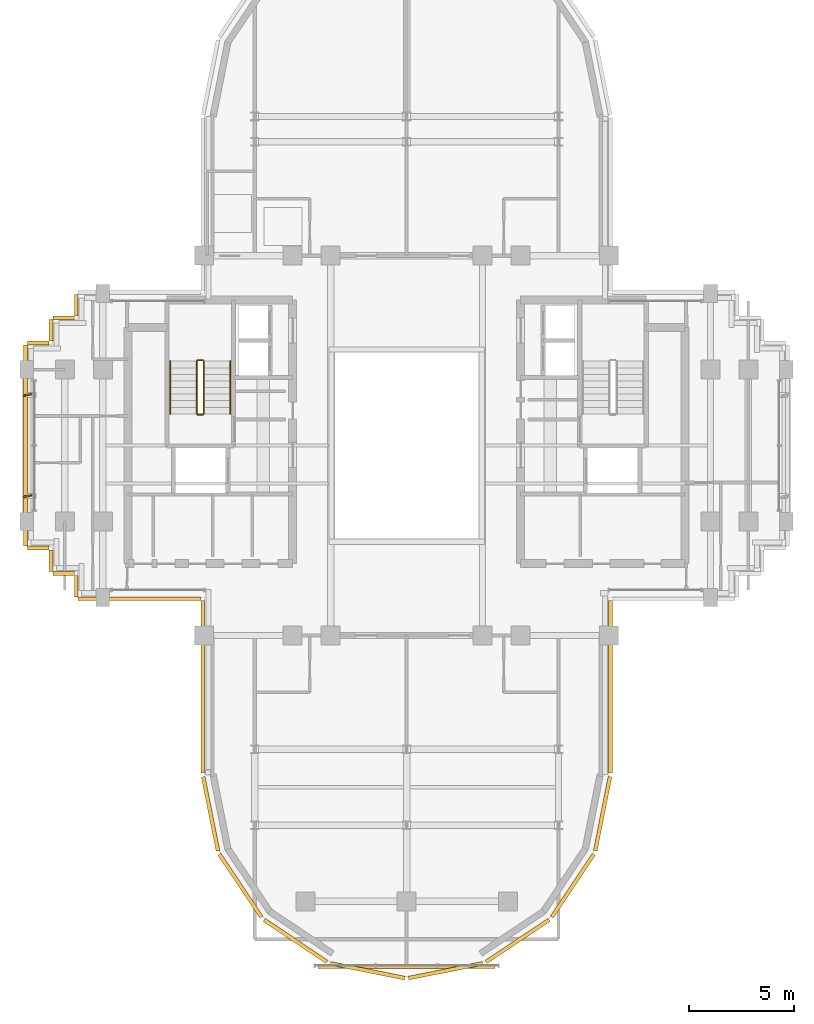
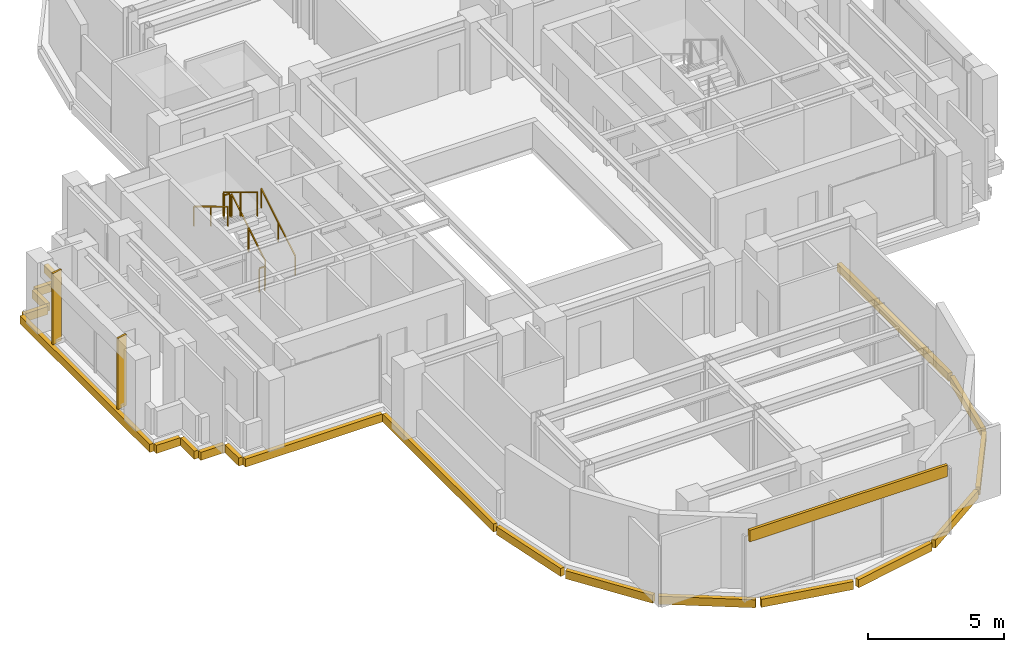
# One storey, part 10 of 12: 21 coverings, 6 railings, 2 shading devices.
"""IFC4 building model written with IfcOpenShell, lengths in metres."""

from ifc_helpers import new_model, si_unit, direction, frame, origin, origin_2d, place, context, subcontext, project, spatial, rectangle, extrude, source, transform, mapped, material, layer, layer_set, type_object, element, save


model = new_model("IFC4")

# Units and contexts
model_context = context("Model", 3, precision=1e-05, world=origin(), true_north=direction((0.0, 1.0)))
body_context = subcontext(model_context, "Body", "Model", "MODEL_VIEW")
ifc_project = project(units=[si_unit("LENGTHUNIT", "METRE"), si_unit("AREAUNIT", "SQUARE_METRE"), si_unit("VOLUMEUNIT", "CUBIC_METRE"), si_unit("PLANEANGLEUNIT", "RADIAN"), si_unit("MASSUNIT", "GRAM", prefix="KILO")], contexts=[model_context])

# Site, building, storey
site_placement = place(None, origin())
site = spatial("IfcSite", under=ifc_project, at=site_placement, CompositionType="ELEMENT")
building_placement = place(site_placement, origin())
building = spatial("IfcBuilding", under=site, at=building_placement, Name="Keilestroom Media Tower", CompositionType="ELEMENT")
storey_placement = place(building_placement, frame((0.0, 0.0, 184.199951171875)))
storey = spatial("IfcBuildingStorey", under=building, at=storey_placement, Name="L50", CompositionType="ELEMENT", Elevation=184.199951171875)

# Railings
ifc_material_1 = material(Name="Brushed Stainless Steel 1.4301", Category="steel")
railing_type_1 = type_object("IfcRailingType", Name="Stair-Pitch-Handrail-920", PredefinedType="HANDRAIL", material=ifc_material_1)
railing_1_placement = place(storey_placement, frame((-8.35009765625, 1.5, 0.18896484375)))
element("IfcRailing", 1, at=railing_1_placement, inside=storey, type_object=railing_type_1, Name="L50 ST-1 stair handrail 1", PredefinedType="HANDRAIL", context=body_context, shape_type="SweptSolid", body=[
    extrude(rectangle(XDim=0.048095703125, YDim=0.048095703125, at=origin_2d()), frame((0.0, 0.0, 0.8759765625), z_axis=(0.0, 0.855470815493, 0.517851024754), x_axis=(-1.0, 0.0, 0.0)), (0.0, 0.0, 1.0), 2.917724609375),
    extrude(rectangle(XDim=0.0419921875, YDim=0.0419921875, at=origin_2d()), origin(), (0.0, 0.0, 1.0), 0.84375),
    extrude(rectangle(XDim=0.0419921875, YDim=0.0419921875, at=origin_2d()), frame((0.0, 1.248046875, 0.75537109375)), (0.0, 0.0, 1.0), 0.84375),
    extrude(rectangle(XDim=0.0419921875, YDim=0.0419921875, at=origin_2d()), frame((0.0, 2.49609375, 1.510986328125)), (0.0, 0.0, 1.0), 0.84375),
])
railing_2_placement = place(storey_placement, frame((-11.2099609375, 3.99609375, 1.888916015625)))
element("IfcRailing", 2, at=railing_2_placement, inside=storey, type_object=railing_type_1, Name="L50 ST-1 stair handrail 2", PredefinedType="HANDRAIL", context=body_context, shape_type="SweptSolid", body=[
    extrude(rectangle(XDim=0.048095703125, YDim=0.048095703125, at=origin_2d()), frame((0.0, 0.0, 0.8759765625), z_axis=(0.0, -0.855433747314, 0.517912255074), x_axis=(1.0, 0.0, 0.0)), (0.0, 0.0, 1.0), 2.91796875),
    extrude(rectangle(XDim=0.0419921875, YDim=0.0419921875, at=origin_2d()), origin(), (0.0, 0.0, 1.0), 0.84375),
    extrude(rectangle(XDim=0.0419921875, YDim=0.0419921875, at=origin_2d()), frame((0.0, -1.248046875, 0.755615234375)), (0.0, 0.0, 1.0), 0.84375),
    extrude(rectangle(XDim=0.0419921875, YDim=0.0419921875, at=origin_2d()), frame((0.0, -2.49609375, 1.51123046875)), (0.0, 0.0, 1.0), 0.84375),
])
ifc_material_2 = material(Name="Painted Steel Balustrade", Category="steel")
railing_type_2 = type_object("IfcRailingType", Name="Stair-Well-And-Landing-Guard-1100", PredefinedType="GUARDRAIL", material=ifc_material_2)
railing_3_placement = place(storey_placement, frame((-9.610107421875, 1.5, 0.18896484375)))
element("IfcRailing", 3, at=railing_3_placement, inside=storey, type_object=railing_type_2, Name="L50 ST-1 stair guard 1", PredefinedType="GUARDRAIL", context=body_context, shape_type="SweptSolid", body=[
    extrude(rectangle(XDim=0.048095703125, YDim=0.048095703125, at=origin_2d()), frame((0.0, 0.0, 1.076171875), z_axis=(0.0, 0.855470815493, 0.517851024754), x_axis=(-1.0, 0.0, 0.0)), (0.0, 0.0, 1.0), 2.917724609375),
    extrude(rectangle(XDim=0.0419921875, YDim=0.0419921875, at=origin_2d()), origin(), (0.0, 0.0, 1.0), 1.0439453125),
    extrude(rectangle(XDim=0.0419921875, YDim=0.0419921875, at=origin_2d()), frame((0.0, 1.248046875, 0.75537109375)), (0.0, 0.0, 1.0), 1.0439453125),
    extrude(rectangle(XDim=0.0419921875, YDim=0.0419921875, at=origin_2d()), frame((0.0, 2.49609375, 1.510986328125)), (0.0, 0.0, 1.0), 1.0439453125),
])
railing_4_placement = place(storey_placement, frame((-9.659912109375, 4.0458984375, 1.699951171875)))
element("IfcRailing", 4, at=railing_4_placement, inside=storey, type_object=railing_type_2, Name="L50 ST-1 stair guard 2", PredefinedType="GUARDRAIL", context=body_context, shape_type="SweptSolid", body=[
    extrude(rectangle(XDim=0.048095703125, YDim=0.048095703125, at=origin_2d()), frame((0.0, 0.0, 1.076171875), z_axis=(-1.0, 0.0, 0.0), x_axis=(0.0, -1.0, 0.0)), (0.0, 0.0, 1.0), 0.239990234375),
    extrude(rectangle(XDim=0.0419921875, YDim=0.0419921875, at=origin_2d()), origin(), (0.0, 0.0, 1.0), 1.0439453125),
    extrude(rectangle(XDim=0.0419921875, YDim=0.0419921875, at=origin_2d()), frame((-0.239990234375, 0.0, 0.0)), (0.0, 0.0, 1.0), 1.0439453125),
])
railing_5_placement = place(storey_placement, frame((-9.949951171875, 3.99609375, 1.888916015625)))
element("IfcRailing", 5, at=railing_5_placement, inside=storey, type_object=railing_type_2, Name="L50 ST-1 stair guard 3", PredefinedType="GUARDRAIL", context=body_context, shape_type="SweptSolid", body=[
    extrude(rectangle(XDim=0.048095703125, YDim=0.048095703125, at=origin_2d()), frame((0.0, 0.0, 1.076171875), z_axis=(0.0, -0.855433747314, 0.517912255074), x_axis=(1.0, 0.0, 0.0)), (0.0, 0.0, 1.0), 2.91796875),
    extrude(rectangle(XDim=0.0419921875, YDim=0.0419921875, at=origin_2d()), origin(), (0.0, 0.0, 1.0), 1.0439453125),
    extrude(rectangle(XDim=0.0419921875, YDim=0.0419921875, at=origin_2d()), frame((0.0, -1.248046875, 0.755615234375)), (0.0, 0.0, 1.0), 1.0439453125),
    extrude(rectangle(XDim=0.0419921875, YDim=0.0419921875, at=origin_2d()), frame((0.0, -2.49609375, 1.51123046875)), (0.0, 0.0, 1.0), 1.0439453125),
])
railing_6_placement = place(storey_placement, frame((-9.659912109375, 1.449951171875, 0.0)))
element("IfcRailing", 6, at=railing_6_placement, inside=storey, type_object=railing_type_2, Name="L50 ST-1 stair guard 4", PredefinedType="GUARDRAIL", context=body_context, shape_type="SweptSolid", body=[
    extrude(rectangle(XDim=0.048095703125, YDim=0.048095703125, at=origin_2d()), frame((0.0, 0.0, 1.076171875), z_axis=(-1.0, 0.0, 0.0), x_axis=(0.0, -1.0, 0.0)), (0.0, 0.0, 1.0), 0.239990234375),
    extrude(rectangle(XDim=0.0419921875, YDim=0.0419921875, at=origin_2d()), origin(), (0.0, 0.0, 1.0), 1.0439453125),
    extrude(rectangle(XDim=0.0419921875, YDim=0.0419921875, at=origin_2d()), frame((-0.239990234375, 0.0, 0.0)), (0.0, 0.0, 1.0), 1.0439453125),
])

# Covering
ifc_material_3 = material(Name="Precast concrete C40/50", Category="concrete")
ifc_layer = layer(ifc_material_3, 0.1201171875)
ifc_layer_set = layer_set([ifc_layer], Name="Precast concrete C40/50")
covering_type = type_object("IfcCoveringType", Name="Exterior-Precast-Spandrel-Cladding-Panel-120", PredefinedType="CLADDING", material=ifc_layer_set)
shared_shape_1 = source(origin(), body_context, "Body", "SweptSolid", [
    extrude(rectangle(XDim=8.39990234375, YDim=0.1201171875, at=origin_2d()), origin(), (0.0, 0.0, 1.0), 0.52001953125),
])
covering_1_placement = place(storey_placement, frame((0.0, -24.719970703125, 2.68994140625), z_axis=(0.0, 0.0, 1.0), x_axis=(1.0, 0.0, 0.0)))
element("IfcCovering", 7, at=covering_1_placement, inside=storey, type_object=covering_type, Name="L50 Precast Spandrel Cladding S", PredefinedType="CLADDING", context=body_context, shape_type="MappedRepresentation", body=[
    mapped(shared_shape_1, transform((0.0, 0.0, 0.0), x_axis=(1.0, 0.0, 0.0), y_axis=(0.0, 1.0, 0.0), z_axis=(0.0, 0.0, 1.0), scale=1.0)),
])

# Shading devices
ifc_material_4 = material(Name="Bronze Anodised Aluminium", Category="aluminium")
shading_device_type = type_object("IfcShadingDeviceType", Name="Facade-Vertical-Sunshade-Fin-SHD-1", PredefinedType="USERDEFINED", material=ifc_material_4)
shared_shape_2 = source(origin(), body_context, "Body", "SweptSolid", [
    extrude(rectangle(XDim=0.419921875, YDim=0.080078125, at=origin_2d()), origin(), (0.0, 0.0, 1.0), 3.199951171875),
])
for number, where, z_axis, x_axis, name in (
    (8, (-17.969970703125, -2.39990234375, 0.0), (0.0, 0.0, 1.0), (0.976821953852, 0.214053429014, 0.0), "L50 Twisting Sunshade Fin SHD-1 069"),
    (9, (-17.969970703125, 2.39990234375, 0.0), (0.0, 0.0, 1.0), (0.976821953852, 0.214053429014, 0.0), "L50 Twisting Sunshade Fin SHD-1 070"),
):
    element("IfcShadingDevice", number, at=place(storey_placement, frame(where, z_axis=z_axis, x_axis=x_axis)), inside=storey, type_object=shading_device_type, Name=name, ObjectType="SUNSHADE", PredefinedType="USERDEFINED", context=body_context, shape_type="MappedRepresentation", body=[
        mapped(shared_shape_2, transform((0.0, 0.0, 0.0), x_axis=(1.0, 0.0, 0.0), y_axis=(0.0, 1.0, 0.0), z_axis=(0.0, 0.0, 1.0), scale=1.0)),
    ])

# Coverings
shared_shape_3 = source(origin(), body_context, "Body", "SweptSolid", [
    extrude(rectangle(XDim=1.02001953125, YDim=0.179931640625, at=origin_2d()), origin(), (0.0, 0.0, 1.0), 0.360107421875),
])
for number, where, z_axis, x_axis, name in (
    (10, (-15.659912109375, -6.659912109375, -0.5400390625), (0.0, 0.0, 1.0), (0.0, 1.0, 0.0), "L50 Precast Slab-Edge Fascia Cornice 17"),
    (11, (-16.260009765625, -6.06005859375, -0.5400390625), (0.0, 0.0, 1.0), (-1.0, 0.0, 0.0), "L50 Precast Slab-Edge Fascia Cornice 18"),
    (12, (-16.860107421875, -5.4599609375, -0.5400390625), (0.0, 0.0, 1.0), (0.0, 1.0, 0.0), "L50 Precast Slab-Edge Fascia Cornice 19"),
    (13, (-17.4599609375, -4.860107421875, -0.5400390625), (0.0, 0.0, 1.0), (-1.0, 0.0, 0.0), "L50 Precast Slab-Edge Fascia Cornice 20"),
    (14, (-17.4599609375, 4.860107421875, -0.5400390625), (0.0, 0.0, 1.0), (1.0, 0.0, 0.0), "L50 Precast Slab-Edge Fascia Cornice 22"),
    (15, (-16.860107421875, 5.4599609375, -0.5400390625), (0.0, 0.0, 1.0), (0.0, 1.0, 0.0), "L50 Precast Slab-Edge Fascia Cornice 23"),
    (16, (-16.260009765625, 6.06005859375, -0.5400390625), (0.0, 0.0, 1.0), (1.0, 0.0, 0.0), "L50 Precast Slab-Edge Fascia Cornice 24"),
    (17, (-15.659912109375, 6.659912109375, -0.5400390625), (0.0, 0.0, 1.0), (0.0, 1.0, 0.0), "L50 Precast Slab-Edge Fascia Cornice 25"),
):
    element("IfcCovering", number, at=place(storey_placement, frame(where, z_axis=z_axis, x_axis=x_axis)), inside=storey, type_object=covering_type, Name=name, PredefinedType="CLADDING", context=body_context, shape_type="MappedRepresentation", body=[
        mapped(shared_shape_3, transform((0.0, 0.0, 0.0), x_axis=(1.0, 0.0, 0.0), y_axis=(0.0, 1.0, 0.0), z_axis=(0.0, 0.0, 1.0), scale=1.0)),
    ])
shared_shape_4 = source(origin(), body_context, "Body", "SweptSolid", [
    extrude(rectangle(XDim=8.166015625, YDim=0.179931640625, at=origin_2d()), origin(), (0.0, 0.0, 1.0), 0.360107421875),
])
for number, where, z_axis, x_axis, name in (
    (18, (9.659912109375, -11.43310546875, -0.5400390625), (0.0, 0.0, 1.0), (0.0, -1.0, 0.0), "L50 Precast Slab-Edge Fascia Cornice 06"),
    (19, (-9.659912109375, -11.43310546875, -0.5400390625), (0.0, 0.0, 1.0), (0.0, 1.0, 0.0), "L50 Precast Slab-Edge Fascia Cornice 15"),
):
    element("IfcCovering", number, at=place(storey_placement, frame(where, z_axis=z_axis, x_axis=x_axis)), inside=storey, type_object=covering_type, Name=name, PredefinedType="CLADDING", context=body_context, shape_type="MappedRepresentation", body=[
        mapped(shared_shape_4, transform((0.0, 0.0, 0.0), x_axis=(1.0, 0.0, 0.0), y_axis=(0.0, 1.0, 0.0), z_axis=(0.0, 0.0, 1.0), scale=1.0)),
    ])
shared_shape_5 = source(origin(), body_context, "Body", "SweptSolid", [
    extrude(rectangle(XDim=3.58349609375, YDim=0.179931640625, at=origin_2d()), origin(), (0.0, 0.0, 1.0), 0.360107421875),
])
for number, where, z_axis, x_axis, name in (
    (20, (9.29296875, -17.45166015625, -0.5400390625), (0.0, 0.0, 1.0), (-0.195098880975, -0.980783577882, 0.0), "L50 Precast Slab-Edge Fascia Cornice 07"),
    (21, (-9.29296875, -17.45166015625, -0.5400390625), (0.0, 0.0, 1.0), (-0.195098880975, 0.980783577882, 0.0), "L50 Precast Slab-Edge Fascia Cornice 14"),
):
    element("IfcCovering", number, at=place(storey_placement, frame(where, z_axis=z_axis, x_axis=x_axis)), inside=storey, type_object=covering_type, Name=name, PredefinedType="CLADDING", context=body_context, shape_type="MappedRepresentation", body=[
        mapped(shared_shape_5, transform((0.0, 0.0, 0.0), x_axis=(1.0, 0.0, 0.0), y_axis=(0.0, 1.0, 0.0), z_axis=(0.0, 0.0, 1.0), scale=1.0)),
    ])
shared_shape_6 = source(origin(), body_context, "Body", "SweptSolid", [
    extrude(rectangle(XDim=3.589599609375, YDim=0.179931640625, at=origin_2d()), origin(), (0.0, 0.0, 1.0), 0.360107421875),
])
for number, where, z_axis, x_axis, name in (
    (22, (7.878662109375, -20.8642578125, -0.5400390625), (0.0, 0.0, 1.0), (-0.555574586577, -0.831466703332, 0.0), "L50 Precast Slab-Edge Fascia Cornice 08"),
    (23, (5.264404296875, -23.478515625, -0.5400390625), (0.0, 0.0, 1.0), (-0.831466703332, -0.555574586577, 0.0), "L50 Precast Slab-Edge Fascia Cornice 09"),
    (24, (1.8486328125, -24.893310546875, -0.5400390625), (0.0, 0.0, 1.0), (-0.980783577882, -0.195098880975, 0.0), "L50 Precast Slab-Edge Fascia Cornice 10"),
    (25, (-1.8486328125, -24.893310546875, -0.5400390625), (0.0, 0.0, 1.0), (-0.980783577882, 0.195098880975, 0.0), "L50 Precast Slab-Edge Fascia Cornice 11"),
    (26, (-5.264404296875, -23.478515625, -0.5400390625), (0.0, 0.0, 1.0), (-0.831466703332, 0.555574586577, 0.0), "L50 Precast Slab-Edge Fascia Cornice 12"),
    (27, (-7.878662109375, -20.8642578125, -0.5400390625), (0.0, 0.0, 1.0), (-0.555574586577, 0.831466703332, 0.0), "L50 Precast Slab-Edge Fascia Cornice 13"),
):
    element("IfcCovering", number, at=place(storey_placement, frame(where, z_axis=z_axis, x_axis=x_axis)), inside=storey, type_object=covering_type, Name=name, PredefinedType="CLADDING", context=body_context, shape_type="MappedRepresentation", body=[
        mapped(shared_shape_6, transform((0.0, 0.0, 0.0), x_axis=(1.0, 0.0, 0.0), y_axis=(0.0, 1.0, 0.0), z_axis=(0.0, 0.0, 1.0), scale=1.0)),
    ])
shared_shape_7 = source(origin(), body_context, "Body", "SweptSolid", [
    extrude(rectangle(XDim=9.5400390625, YDim=0.179931640625, at=origin_2d()), origin(), (0.0, 0.0, 1.0), 0.360107421875),
])
covering_2_placement = place(storey_placement, frame((-18.06005859375, 0.0, -0.5400390625), z_axis=(0.0, 0.0, 1.0), x_axis=(0.0, 1.0, 0.0)))
element("IfcCovering", 28, at=covering_2_placement, inside=storey, type_object=covering_type, Name="L50 Precast Slab-Edge Fascia Cornice 21", PredefinedType="CLADDING", context=body_context, shape_type="MappedRepresentation", body=[
    mapped(shared_shape_7, transform((0.0, 0.0, 0.0), x_axis=(1.0, 0.0, 0.0), y_axis=(0.0, 1.0, 0.0), z_axis=(0.0, 0.0, 1.0), scale=1.0)),
])
shared_shape_8 = source(origin(), body_context, "Body", "SweptSolid", [
    extrude(rectangle(XDim=5.820068359375, YDim=0.179931640625, at=origin_2d()), origin(), (0.0, 0.0, 1.0), 0.360107421875),
])
covering_3_placement = place(storey_placement, frame((-12.659912109375, -7.260009765625, -0.5400390625), z_axis=(0.0, 0.0, 1.0), x_axis=(-1.0, 0.0, 0.0)))
element("IfcCovering", 29, at=covering_3_placement, inside=storey, type_object=covering_type, Name="L50 Precast Slab-Edge Fascia Cornice 16", PredefinedType="CLADDING", context=body_context, shape_type="MappedRepresentation", body=[
    mapped(shared_shape_8, transform((0.0, 0.0, 0.0), x_axis=(1.0, 0.0, 0.0), y_axis=(0.0, 1.0, 0.0), z_axis=(0.0, 0.0, 1.0), scale=1.0)),
])

save(model, "model.ifc")
